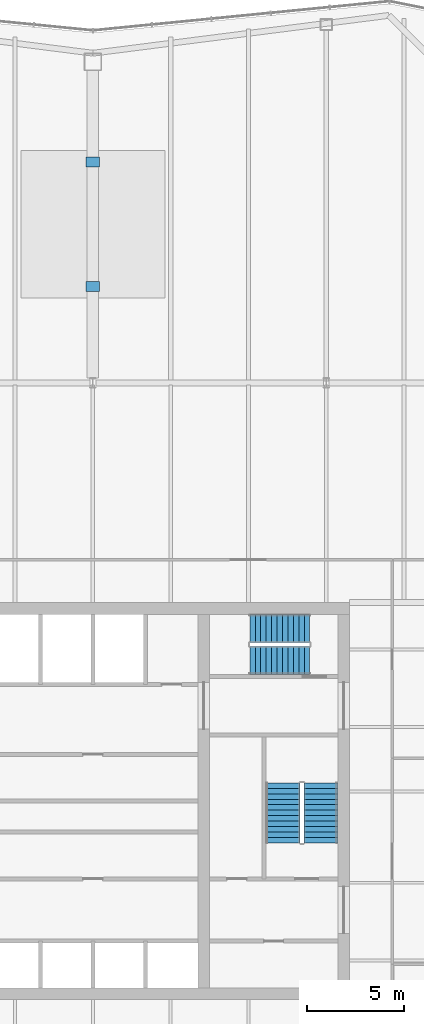
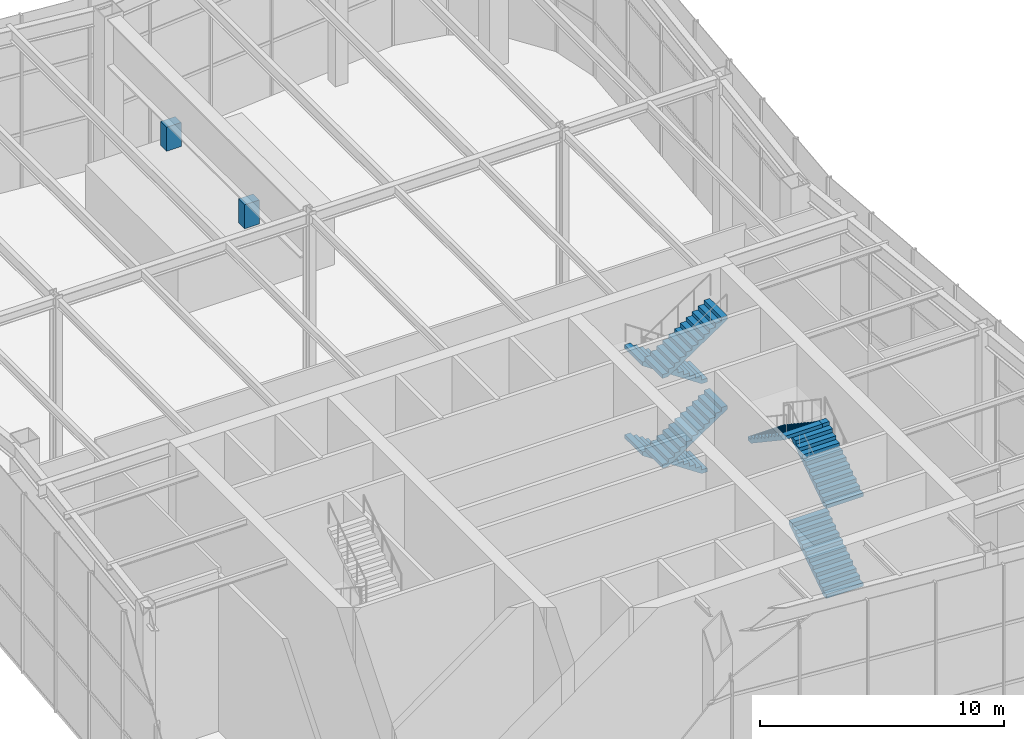
# One storey, part 13 of 16: 7 stair flights, 2 discrete accessories, 2 elements without a shape of their own.
"""IFC4 building model written with IfcOpenShell, lengths in metres."""

from ifc_helpers import new_model, si_unit, direction, frame, origin, origin_2d, place, context, subcontext, project, spatial, polyline, rectangle, outline, extrude, material, layer, layer_set, type_object, element, aggregate, save


model = new_model("IFC4")

# Units and contexts
model_context = context("Model", 3, precision=1e-05, world=origin(), true_north=direction((0.0, 1.0)))
body_context = subcontext(model_context, "Body", "Model", "MODEL_VIEW")
ifc_project = project(units=[si_unit("LENGTHUNIT", "METRE"), si_unit("AREAUNIT", "SQUARE_METRE"), si_unit("VOLUMEUNIT", "CUBIC_METRE"), si_unit("PLANEANGLEUNIT", "RADIAN"), si_unit("MASSUNIT", "GRAM", prefix="KILO")], contexts=[model_context])

# Site, building, storey
site_placement = place(None, origin())
site = spatial("IfcSite", under=ifc_project, at=site_placement, CompositionType="ELEMENT")
building_placement = place(site_placement, origin())
building = spatial("IfcBuilding", under=site, at=building_placement, Name="Verdant Reach Tower", CompositionType="ELEMENT")
storey_placement = place(building_placement, frame((0.0, 0.0, 340.5)))
storey = spatial("IfcBuildingStorey", under=building, at=storey_placement, Name="L78 Damper", CompositionType="ELEMENT", Elevation=340.5)

# Stair, stair flights
ifc_material_1 = material(Name="Concrete C40/50", Category="concrete")
stair_type = type_object("IfcStairType", Name="CO-STAIR", PredefinedType="HALF_TURN_STAIR", material=ifc_material_1)
stair_1_placement = place(storey_placement, origin())
stair_1 = element("IfcStair", 1, at=stair_1_placement, inside=storey, type_object=stair_type, Name="L78 Damper Exit stair 2", PredefinedType="HALF_TURN_STAIR")
stair_flight_type = type_object("IfcStairFlightType", Name="CO-STAIR-FLIGHT", PredefinedType="STRAIGHT", material=ifc_material_1)
stair_flight_1_placement = place(storey_placement, frame((11.72509765625, 25.85009765625, 0.0), z_axis=(0.0, 0.0, 1.0), x_axis=(0.0, 1.0, 0.0)))
stair_flight_1 = element("IfcStairFlight", 2, at=stair_flight_1_placement, type_object=stair_flight_type, Name="ST-2 flight 1", NumberOfRisers=12, NumberOfTreads=11, PredefinedType="STRAIGHT", RiserHeight=0.1875, TreadLength=0.28, context=body_context, shape_type="SweptSolid", body=[
    extrude(outline(polyline([(0.0, 0.0), (0.0, 0.1875), (0.280029296875, 0.1875), (0.280029296875, 0.375), (0.56005859375, 0.375), (0.56005859375, 0.5625), (0.840087890625, 0.5625), (0.840087890625, 0.75), (1.1201171875, 0.75), (1.1201171875, 0.9375), (1.39990234375, 0.9375), (1.39990234375, 1.125), (1.679931640625, 1.125), (1.679931640625, 1.3125), (1.9599609375, 1.3125), (1.9599609375, 1.5), (2.239990234375, 1.5), (2.239990234375, 1.6875), (2.52001953125, 1.6875), (2.52001953125, 1.875), (2.800048828125, 1.875), (2.800048828125, 2.0625), (3.080078125, 2.0625), (3.080078125, 2.25), (3.080078125, 1.882080078125), (0.26953125, 0.0), (0.0, 0.0)])), frame((0.0, 0.875, 0.0), z_axis=(0.0, -1.0, 0.0), x_axis=(1.0, 0.0, 0.0)), (0.0, 0.0, 1.0), 1.75),
])
stair_flight_2_placement = place(storey_placement, frame((11.72509765625, 25.85009765625, 4.5), z_axis=(0.0, 0.0, 1.0), x_axis=(0.0, 1.0, 0.0)))
stair_flight_2 = element("IfcStairFlight", 3, at=stair_flight_2_placement, type_object=stair_flight_type, Name="ST-2 flight 3", NumberOfRisers=12, NumberOfTreads=11, PredefinedType="STRAIGHT", RiserHeight=0.1875, TreadLength=0.28, context=body_context, shape_type="SweptSolid", body=[
    extrude(outline(polyline([(0.0, 0.0), (0.0, 0.1875), (0.280029296875, 0.1875), (0.280029296875, 0.375), (0.56005859375, 0.375), (0.56005859375, 0.5625), (0.840087890625, 0.5625), (0.840087890625, 0.75), (1.1201171875, 0.75), (1.1201171875, 0.9375), (1.39990234375, 0.9375), (1.39990234375, 1.125), (1.679931640625, 1.125), (1.679931640625, 1.3125), (1.9599609375, 1.3125), (1.9599609375, 1.5), (2.239990234375, 1.5), (2.239990234375, 1.6875), (2.52001953125, 1.6875), (2.52001953125, 1.875), (2.800048828125, 1.875), (2.800048828125, 2.0625), (3.080078125, 2.0625), (3.080078125, 2.25), (3.080078125, 1.882080078125), (0.26953125, 0.0), (0.0, 0.0)])), frame((0.0, 0.875, 0.0), z_axis=(0.0, -1.0, 0.0), x_axis=(1.0, 0.0, 0.0)), (0.0, 0.0, 1.0), 1.75),
])
stair_flight_3_placement = place(storey_placement, frame((9.77490234375, 28.929931640625, 6.75), z_axis=(0.0, 0.0, 1.0), x_axis=(0.0, -1.0, 0.0)))
stair_flight_3 = element("IfcStairFlight", 4, at=stair_flight_3_placement, type_object=stair_flight_type, Name="ST-2 flight 4", NumberOfRisers=12, NumberOfTreads=11, PredefinedType="STRAIGHT", RiserHeight=0.1875, TreadLength=0.28, context=body_context, shape_type="SweptSolid", body=[
    extrude(outline(polyline([(0.0, 0.0), (0.0, 0.1875), (0.280029296875, 0.1875), (0.280029296875, 0.375), (0.56005859375, 0.375), (0.56005859375, 0.5625), (0.840087890625, 0.5625), (0.840087890625, 0.75), (1.1201171875, 0.75), (1.1201171875, 0.9375), (1.39990234375, 0.9375), (1.39990234375, 1.125), (1.679931640625, 1.125), (1.679931640625, 1.3125), (1.9599609375, 1.3125), (1.9599609375, 1.5), (2.239990234375, 1.5), (2.239990234375, 1.6875), (2.52001953125, 1.6875), (2.52001953125, 1.875), (2.800048828125, 1.875), (2.800048828125, 2.0625), (3.080078125, 2.0625), (3.080078125, 2.25), (3.080078125, 1.882080078125), (0.26953125, 0.0), (0.0, 0.0)])), frame((0.0, 0.875, 0.0), z_axis=(0.0, -1.0, 0.0), x_axis=(1.0, 0.0, 0.0)), (0.0, 0.0, 1.0), 1.75),
])
aggregate(stair_1, [stair_flight_1, stair_flight_2, stair_flight_3])

stair_2_placement = place(storey_placement, origin())
stair_2 = element("IfcStair", 5, at=stair_2_placement, inside=storey, type_object=stair_type, Name="L78 Damper Exit stair 3", PredefinedType="HALF_TURN_STAIR")
stair_flight_4_placement = place(storey_placement, frame((11.14990234375, 36.875, 0.0), z_axis=(0.0, 0.0, 1.0), x_axis=(-1.0, 0.0, 0.0)))
stair_flight_4 = element("IfcStairFlight", 6, at=stair_flight_4_placement, type_object=stair_flight_type, Name="ST-3 flight 1", NumberOfRisers=12, NumberOfTreads=11, PredefinedType="STRAIGHT", RiserHeight=0.1875, TreadLength=0.28, context=body_context, shape_type="SweptSolid", body=[
    extrude(outline(polyline([(0.0, 0.0), (0.0, 0.1875), (0.280029296875, 0.1875), (0.280029296875, 0.375), (0.56005859375, 0.375), (0.56005859375, 0.5625), (0.840087890625, 0.5625), (0.840087890625, 0.75), (1.1201171875, 0.75), (1.1201171875, 0.9375), (1.39990234375, 0.9375), (1.39990234375, 1.125), (1.679931640625, 1.125), (1.679931640625, 1.3125), (1.9599609375, 1.3125), (1.9599609375, 1.5), (2.239990234375, 1.5), (2.239990234375, 1.6875), (2.52001953125, 1.6875), (2.52001953125, 1.875), (2.800048828125, 1.875), (2.800048828125, 2.0625), (3.080078125, 2.0625), (3.080078125, 2.25), (3.080078125, 1.882080078125), (0.26953125, 0.0), (0.0, 0.0)])), frame((0.0, 0.72509765625, 0.0), z_axis=(0.0, -1.0, 0.0), x_axis=(1.0, 0.0, 0.0)), (0.0, 0.0, 1.0), 1.449951171875),
])
stair_flight_5_placement = place(storey_placement, frame((8.070068359375, 35.22509765625, 2.25), z_axis=(0.0, 0.0, 1.0), x_axis=(1.0, 0.0, 0.0)))
stair_flight_5 = element("IfcStairFlight", 7, at=stair_flight_5_placement, type_object=stair_flight_type, Name="ST-3 flight 2", NumberOfRisers=12, NumberOfTreads=11, PredefinedType="STRAIGHT", RiserHeight=0.1875, TreadLength=0.28, context=body_context, shape_type="SweptSolid", body=[
    extrude(outline(polyline([(0.0, 0.0), (0.0, 0.1875), (0.280029296875, 0.1875), (0.280029296875, 0.375), (0.56005859375, 0.375), (0.56005859375, 0.5625), (0.840087890625, 0.5625), (0.840087890625, 0.75), (1.1201171875, 0.75), (1.1201171875, 0.9375), (1.39990234375, 0.9375), (1.39990234375, 1.125), (1.679931640625, 1.125), (1.679931640625, 1.3125), (1.9599609375, 1.3125), (1.9599609375, 1.5), (2.239990234375, 1.5), (2.239990234375, 1.6875), (2.52001953125, 1.6875), (2.52001953125, 1.875), (2.800048828125, 1.875), (2.800048828125, 2.0625), (3.080078125, 2.0625), (3.080078125, 2.25), (3.080078125, 1.882080078125), (0.26953125, 0.0), (0.0, 0.0)])), frame((0.0, 0.72509765625, 0.0), z_axis=(0.0, -1.0, 0.0), x_axis=(1.0, 0.0, 0.0)), (0.0, 0.0, 1.0), 1.449951171875),
])
stair_flight_6_placement = place(storey_placement, frame((11.14990234375, 36.875, 4.5), z_axis=(0.0, 0.0, 1.0), x_axis=(-1.0, 0.0, 0.0)))
stair_flight_6 = element("IfcStairFlight", 8, at=stair_flight_6_placement, type_object=stair_flight_type, Name="ST-3 flight 3", NumberOfRisers=12, NumberOfTreads=11, PredefinedType="STRAIGHT", RiserHeight=0.1875, TreadLength=0.28, context=body_context, shape_type="SweptSolid", body=[
    extrude(outline(polyline([(0.0, 0.0), (0.0, 0.1875), (0.280029296875, 0.1875), (0.280029296875, 0.375), (0.56005859375, 0.375), (0.56005859375, 0.5625), (0.840087890625, 0.5625), (0.840087890625, 0.75), (1.1201171875, 0.75), (1.1201171875, 0.9375), (1.39990234375, 0.9375), (1.39990234375, 1.125), (1.679931640625, 1.125), (1.679931640625, 1.3125), (1.9599609375, 1.3125), (1.9599609375, 1.5), (2.239990234375, 1.5), (2.239990234375, 1.6875), (2.52001953125, 1.6875), (2.52001953125, 1.875), (2.800048828125, 1.875), (2.800048828125, 2.0625), (3.080078125, 2.0625), (3.080078125, 2.25), (3.080078125, 1.882080078125), (0.26953125, 0.0), (0.0, 0.0)])), frame((0.0, 0.72509765625, 0.0), z_axis=(0.0, -1.0, 0.0), x_axis=(1.0, 0.0, 0.0)), (0.0, 0.0, 1.0), 1.449951171875),
])
stair_flight_7_placement = place(storey_placement, frame((8.070068359375, 35.22509765625, 6.75), z_axis=(0.0, 0.0, 1.0), x_axis=(1.0, 0.0, 0.0)))
stair_flight_7 = element("IfcStairFlight", 9, at=stair_flight_7_placement, type_object=stair_flight_type, Name="ST-3 flight 4", NumberOfRisers=12, NumberOfTreads=11, PredefinedType="STRAIGHT", RiserHeight=0.1875, TreadLength=0.28, context=body_context, shape_type="SweptSolid", body=[
    extrude(outline(polyline([(0.0, 0.0), (0.0, 0.1875), (0.280029296875, 0.1875), (0.280029296875, 0.375), (0.56005859375, 0.375), (0.56005859375, 0.5625), (0.840087890625, 0.5625), (0.840087890625, 0.75), (1.1201171875, 0.75), (1.1201171875, 0.9375), (1.39990234375, 0.9375), (1.39990234375, 1.125), (1.679931640625, 1.125), (1.679931640625, 1.3125), (1.9599609375, 1.3125), (1.9599609375, 1.5), (2.239990234375, 1.5), (2.239990234375, 1.6875), (2.52001953125, 1.6875), (2.52001953125, 1.875), (2.800048828125, 1.875), (2.800048828125, 2.0625), (3.080078125, 2.0625), (3.080078125, 2.25), (3.080078125, 1.882080078125), (0.26953125, 0.0), (0.0, 0.0)])), frame((0.0, 0.72509765625, 0.0), z_axis=(0.0, -1.0, 0.0), x_axis=(1.0, 0.0, 0.0)), (0.0, 0.0, 1.0), 1.449951171875),
])
aggregate(stair_2, [stair_flight_4, stair_flight_5, stair_flight_6, stair_flight_7])

# Discrete accessories
ifc_material_2 = material(Name="Steel S460", Category="steel")
ifc_layer = layer(ifc_material_2, 0.5)
ifc_layer_set = layer_set([ifc_layer], Name="ST-DMP-HANGER")
discrete_accessory_type = type_object("IfcDiscreteAccessoryType", Name="ST-DMP-HANGER", PredefinedType="BRACKET", material=ifc_layer_set)
for number, where, z_axis, x_axis, name in (
    (10, (0.0, 54.4560546875, 5.25), (0.0, 0.0, 1.0), (1.0, 0.0, 0.0), "Damper hanger"),
    (11, (0.0, 60.85595703125, 5.25), (0.0, 0.0, 1.0), (1.0, 0.0, 0.0), "Damper hanger"),
):
    element("IfcDiscreteAccessory", number, at=place(storey_placement, frame(where, z_axis=z_axis, x_axis=x_axis)), inside=storey, type_object=discrete_accessory_type, Name=name, PredefinedType="BRACKET", context=body_context, shape_type="SweptSolid", body=[
        extrude(rectangle(XDim=0.699951171875, YDim=0.5, at=origin_2d()), origin(), (0.0, 0.0, 1.0), 1.199951171875),
    ])

save(model, "model.ifc")
